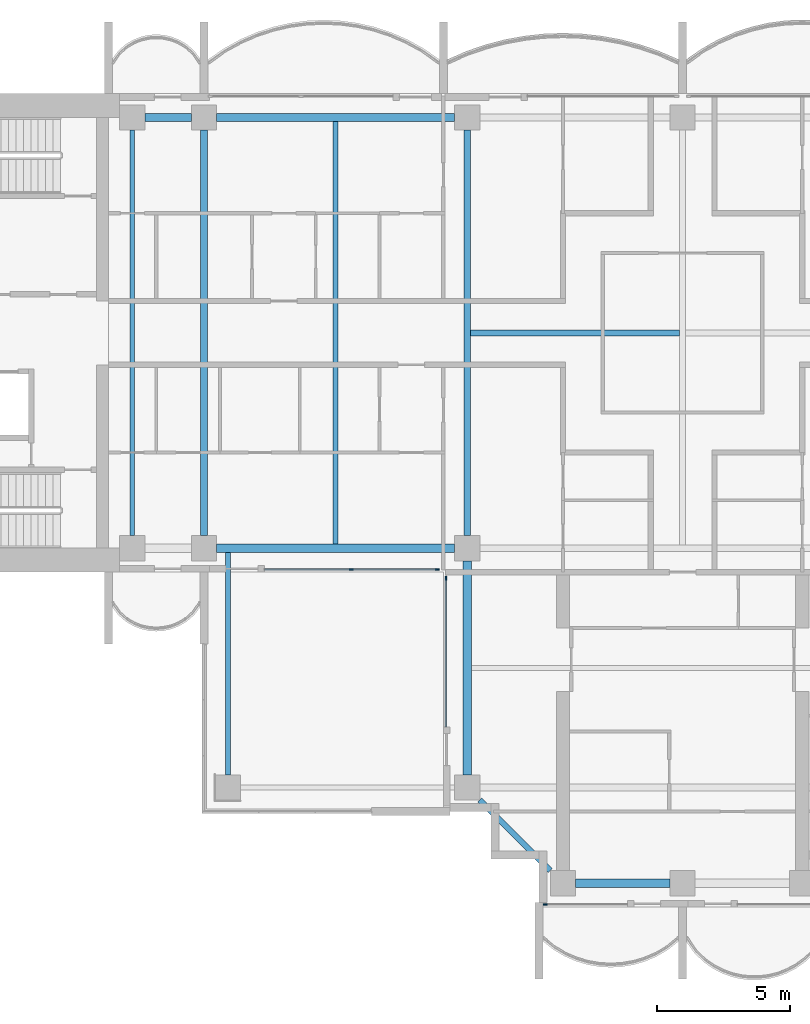
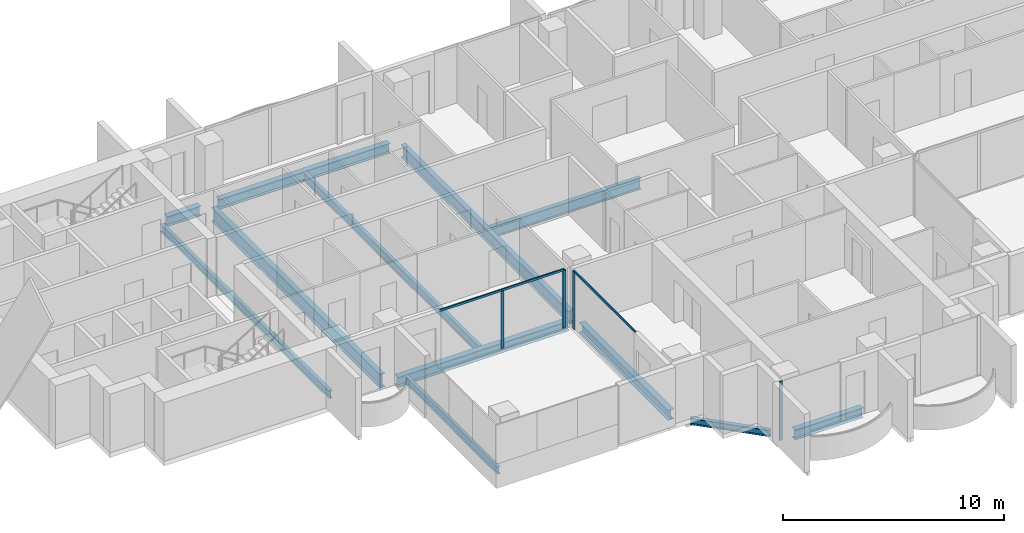
# One storey, part 2 of 17: 12 beams, 6 members, 3 elements without a shape of their own.
"""IFC4 building model written with IfcOpenShell, lengths in metres."""

from ifc_helpers import new_model, si_unit, direction, frame, origin, origin_2d, place, context, subcontext, project, spatial, rectangle, i_section, extrude, material, material_profile, profile_set, type_object, element, aggregate, save


model = new_model("IFC4")

# Units and contexts
model_context = context("Model", 3, precision=1e-05, world=origin(), true_north=direction((0.0, 1.0)))
body_context = subcontext(model_context, "Body", "Model", "MODEL_VIEW")
ifc_project = project(units=[si_unit("LENGTHUNIT", "METRE"), si_unit("AREAUNIT", "SQUARE_METRE"), si_unit("VOLUMEUNIT", "CUBIC_METRE"), si_unit("PLANEANGLEUNIT", "RADIAN"), si_unit("MASSUNIT", "GRAM", prefix="KILO")], contexts=[model_context])

# Site, building, storey
site_placement = place(None, origin())
site = spatial("IfcSite", under=ifc_project, at=site_placement, CompositionType="ELEMENT")
building_placement = place(site_placement, origin())
building = spatial("IfcBuilding", under=site, at=building_placement, Name="Perihelion Cross Residences", CompositionType="ELEMENT")
storey_placement = place(building_placement, frame((0.0, 0.0, 191.10009765625)))
storey = spatial("IfcBuildingStorey", under=building, at=storey_placement, Name="L47", CompositionType="ELEMENT", Elevation=191.10009765625)

# Curtain wall, members
ifc_material_1 = material(Name="Bronze anodised aluminium, tinted glazing", Category="aluminium")
curtain_wall_type = type_object("IfcCurtainWallType", Name="CW1", PredefinedType="NOTDEFINED", material=ifc_material_1)
curtain_wall_1_placement = place(storey_placement, origin())
curtain_wall_1 = element("IfcCurtainWall", 1, at=curtain_wall_1_placement, inside=storey, type_object=curtain_wall_type, Name="Curtain wall CW1 L47 west side south bay 2", PredefinedType="NOTDEFINED")
ifc_material_2 = material(Name="Bronze anodised aluminium", Category="aluminium")
ifc_material_profile_1 = material_profile(ifc_material_2, rectangle(XDim=0.06005859375, YDim=0.159912109375, at=origin_2d()), Name="CW1 mullion")
ifc_profile_set_1 = profile_set([ifc_material_profile_1], Name="Bronze anodised aluminium")
member_type_1 = type_object("IfcMemberType", Name="CW1 mullion", PredefinedType="MULLION", material=ifc_profile_set_1)
member_1_placement = place(storey_placement, frame((-12.46240234375, -8.89990234375, 0.0), z_axis=(0.0, 0.0, 1.0), x_axis=(0.0, 1.0, 0.0)))
member_1 = element("IfcMember", 2, at=member_1_placement, type_object=member_type_1, Name="CW1 mullion 2", PredefinedType="MULLION", context=body_context, shape_type="SweptSolid", body=[
    extrude(rectangle(XDim=0.06005859375, YDim=0.159912109375, at=origin_2d()), origin(), (0.0, 0.0, 1.0), 3.18994140625),
])
member_2_placement = place(storey_placement, frame((-9.22998046875, -8.89990234375, 0.0), z_axis=(0.0, 0.0, 1.0), x_axis=(0.0, 1.0, 0.0)))
member_2 = element("IfcMember", 3, at=member_2_placement, type_object=member_type_1, Name="CW1 mullion 3", PredefinedType="MULLION", context=body_context, shape_type="SweptSolid", body=[
    extrude(rectangle(XDim=0.06005859375, YDim=0.159912109375, at=origin_2d()), origin(), (0.0, 0.0, 1.0), 3.18994140625),
])

# Curtain wall, member
curtain_wall_2_placement = place(storey_placement, origin())
curtain_wall_2 = element("IfcCurtainWall", 4, at=curtain_wall_2_placement, inside=storey, type_object=curtain_wall_type, Name="Curtain wall CW1 L47 south side west bay 1", PredefinedType="NOTDEFINED")
member_3_placement = place(storey_placement, frame((-8.89990234375, -9.22998046875, 0.0), z_axis=(0.0, 0.0, 1.0), x_axis=(1.0, 0.0, 0.0)))
member_3 = element("IfcMember", 5, at=member_3_placement, type_object=member_type_1, Name="CW1 mullion 1", PredefinedType="MULLION", context=body_context, shape_type="SweptSolid", body=[
    extrude(rectangle(XDim=0.06005859375, YDim=0.159912109375, at=origin_2d()), origin(), (0.0, 0.0, 1.0), 3.18994140625),
])

curtain_wall_3_placement = place(storey_placement, origin())
curtain_wall_3 = element("IfcCurtainWall", 6, at=curtain_wall_3_placement, inside=storey, type_object=curtain_wall_type, Name="Curtain wall CW1 L47 south tip south bay 1", PredefinedType="NOTDEFINED")
member_4_placement = place(storey_placement, frame((-5.169921875, -21.5, 0.0), z_axis=(0.0, 0.0, 1.0), x_axis=(0.0, 1.0, 0.0)))
member_4 = element("IfcMember", 7, at=member_4_placement, type_object=member_type_1, Name="CW1 mullion 1", PredefinedType="MULLION", context=body_context, shape_type="SweptSolid", body=[
    extrude(rectangle(XDim=0.06005859375, YDim=0.159912109375, at=origin_2d()), origin(), (0.0, 0.0, 1.0), 3.25),
])
aggregate(curtain_wall_3, [member_4])

# Member
ifc_material_3 = material(Name="Bronze anodised aluminium", Category="aluminium")
ifc_material_profile_2 = material_profile(ifc_material_3, rectangle(XDim=0.06005859375, YDim=0.1201171875, at=origin_2d()), Name="CW1 transom")
ifc_profile_set_2 = profile_set([ifc_material_profile_2], Name="Bronze anodised aluminium")
member_type_2 = type_object("IfcMemberType", Name="CW1 transom", PredefinedType="USERDEFINED", material=ifc_profile_set_2)
member_5_placement = place(storey_placement, frame((-15.72509765625, -8.89990234375, 3.219970703125), z_axis=(1.0, 0.0, 0.0), x_axis=(0.0, 1.0, 0.0)))
member_5 = element("IfcMember", 8, at=member_5_placement, type_object=member_type_2, Name="CW1 head transom", ObjectType="TRANSOM", PredefinedType="USERDEFINED", context=body_context, shape_type="SweptSolid", body=[
    extrude(rectangle(XDim=0.06005859375, YDim=0.1201171875, at=origin_2d()), origin(), (0.0, 0.0, 1.0), 6.4951171875),
])

aggregate(curtain_wall_1, [member_1, member_2, member_5])

member_6_placement = place(storey_placement, frame((-8.89990234375, -9.22998046875, 3.219970703125), z_axis=(0.0, -1.0, 0.0), x_axis=(1.0, 0.0, 0.0)))
member_6 = element("IfcMember", 9, at=member_6_placement, type_object=member_type_2, Name="CW1 head transom", ObjectType="TRANSOM", PredefinedType="USERDEFINED", context=body_context, shape_type="SweptSolid", body=[
    extrude(rectangle(XDim=0.06005859375, YDim=0.1201171875, at=origin_2d()), origin(), (0.0, 0.0, 1.0), 5.594970703125),
])

aggregate(curtain_wall_2, [member_3, member_6])

# Beams
ifc_material_4 = material(Name="Steel S355", Category="steel")
ifc_material_profile_3 = material_profile(ifc_material_4, i_section(OverallWidth=0.177978515625, OverallDepth=0.406005859375, WebThickness=0.0078125, FlangeThickness=0.0126953125, at=origin_2d()), Name="W410x60")
ifc_profile_set_3 = profile_set([ifc_material_profile_3], Name="Steel S355")
beam_type_1 = type_object("IfcBeamType", Name="Core edge beam W410x60", PredefinedType="BEAM", material=ifc_profile_set_3)
beam_1_placement = place(storey_placement, frame((-17.10009765625, -8.256103515625, -0.453125), z_axis=(0.0, -1.0, 0.0), x_axis=(1.0, 0.0, 0.0)))
element("IfcBeam", 10, at=beam_1_placement, inside=storey, type_object=beam_type_1, Name="Core edge beam TB2 L47 corner no. 1", PredefinedType="BEAM", context=body_context, shape_type="SweptSolid", body=[
    extrude(i_section(OverallWidth=0.177978515625, OverallDepth=0.406005859375, WebThickness=0.0078125, FlangeThickness=0.0126953125, at=origin_2d()), origin(), (0.0, 0.0, 1.0), 8.368896484375),
])
ifc_material_5 = material(Name="Steel S355", Category="steel")
ifc_material_profile_4 = material_profile(ifc_material_5, i_section(OverallWidth=0.180908203125, OverallDepth=0.4169921875, WebThickness=0.010986328125, FlangeThickness=0.018310546875, at=origin_2d()), Name="W410x85")
ifc_profile_set_4 = profile_set([ifc_material_profile_4], Name="Steel S355")
beam_type_2 = type_object("IfcBeamType", Name="Core edge beam W410x85", PredefinedType="BEAM", material=ifc_profile_set_4)
beam_2_placement = place(storey_placement, frame((-20.699951171875, -7.625, -0.45849609375), z_axis=(0.0, 1.0, 0.0), x_axis=(-1.0, 0.0, 0.0)))
element("IfcBeam", 11, at=beam_2_placement, inside=storey, type_object=beam_type_2, Name="Core edge beam TB6 L47 no. 1", PredefinedType="BEAM", context=body_context, shape_type="SweptSolid", body=[
    extrude(i_section(OverallWidth=0.180908203125, OverallDepth=0.4169921875, WebThickness=0.010986328125, FlangeThickness=0.018310546875, at=origin_2d()), origin(), (0.0, 0.0, 1.0), 15.25),
])
ifc_material_6 = material(Name="Steel S355", Category="steel")
ifc_material_profile_5 = material_profile(ifc_material_6, i_section(OverallWidth=0.31201171875, OverallDepth=0.5439453125, WebThickness=0.0126953125, FlangeThickness=0.020263671875, at=origin_2d()), Name="W530x150")
ifc_profile_set_5 = profile_set([ifc_material_profile_5], Name="Steel S355")
beam_type_3 = type_object("IfcBeamType", Name="Edge beam W530x150", PredefinedType="SPANDREL", material=ifc_profile_set_5)
beam_3_placement = place(storey_placement, frame((-8.574951171875, 8.10009765625, -0.522216796875), z_axis=(-1.0, 0.0, 0.0), x_axis=(0.0, -1.0, 0.0)))
element("IfcBeam", 12, at=beam_3_placement, inside=storey, type_object=beam_type_3, Name="Edge beam SB4 L47 no. 6", PredefinedType="SPANDREL", context=body_context, shape_type="SweptSolid", body=[
    extrude(i_section(OverallWidth=0.31201171875, OverallDepth=0.5439453125, WebThickness=0.0126953125, FlangeThickness=0.020263671875, at=origin_2d()), origin(), (0.0, 0.0, 1.0), 8.949951171875),
])
beam_4_placement = place(storey_placement, frame((-18.47509765625, 8.10009765625, -0.522216796875), z_axis=(-1.0, 0.0, 0.0), x_axis=(0.0, -1.0, 0.0)))
element("IfcBeam", 13, at=beam_4_placement, inside=storey, type_object=beam_type_3, Name="Edge beam SB4 L47 no. 2", PredefinedType="SPANDREL", context=body_context, shape_type="SweptSolid", body=[
    extrude(i_section(OverallWidth=0.31201171875, OverallDepth=0.5439453125, WebThickness=0.0126953125, FlangeThickness=0.020263671875, at=origin_2d()), origin(), (0.0, 0.0, 1.0), 1.75),
])
beam_5_placement = place(storey_placement, frame((-17.52490234375, -8.10009765625, -0.522216796875), z_axis=(1.0, 0.0, 0.0), x_axis=(0.0, 1.0, 0.0)))
element("IfcBeam", 14, at=beam_5_placement, inside=storey, type_object=beam_type_3, Name="Edge beam SB4 L47 no. 1", PredefinedType="SPANDREL", context=body_context, shape_type="SweptSolid", body=[
    extrude(i_section(OverallWidth=0.31201171875, OverallDepth=0.5439453125, WebThickness=0.0126953125, FlangeThickness=0.020263671875, at=origin_2d()), origin(), (0.0, 0.0, 1.0), 8.949951171875),
])
beam_6_placement = place(storey_placement, frame((-8.10009765625, -8.574951171875, -0.522216796875), z_axis=(0.0, -1.0, 0.0), x_axis=(1.0, 0.0, 0.0)))
element("IfcBeam", 15, at=beam_6_placement, inside=storey, type_object=beam_type_3, Name="Edge beam SB4 L47 no. 5", PredefinedType="SPANDREL", context=body_context, shape_type="SweptSolid", body=[
    extrude(i_section(OverallWidth=0.31201171875, OverallDepth=0.5439453125, WebThickness=0.0126953125, FlangeThickness=0.020263671875, at=origin_2d()), origin(), (0.0, 0.0, 1.0), 8.050048828125),
])
beam_7_placement = place(storey_placement, frame((-4.02490234375, -20.699951171875, -0.522216796875), z_axis=(1.0, 0.0, 0.0), x_axis=(0.0, 1.0, 0.0)))
element("IfcBeam", 16, at=beam_7_placement, inside=storey, type_object=beam_type_3, Name="Edge beam SB4 L47 no. 4", PredefinedType="SPANDREL", context=body_context, shape_type="SweptSolid", body=[
    extrude(i_section(OverallWidth=0.31201171875, OverallDepth=0.5439453125, WebThickness=0.0126953125, FlangeThickness=0.020263671875, at=origin_2d()), origin(), (0.0, 0.0, 1.0), 3.5498046875),
])
ifc_material_7 = material(Name="Steel S355", Category="steel")
ifc_material_profile_6 = material_profile(ifc_material_7, i_section(OverallWidth=0.26708984375, OverallDepth=0.77001953125, WebThickness=0.015625, FlangeThickness=0.025390625, at=origin_2d()), Name="W760x196")
ifc_profile_set_6 = profile_set([ifc_material_profile_6], Name="Steel S355")
beam_type_4 = type_object("IfcBeamType", Name="Floor girder W760x196", PredefinedType="BEAM", material=ifc_profile_set_6)
beam_8_placement = place(storey_placement, frame((-18.0, -7.625, -0.635009765625), z_axis=(0.0, 1.0, 0.0), x_axis=(-1.0, 0.0, 0.0)))
element("IfcBeam", 17, at=beam_8_placement, inside=storey, type_object=beam_type_4, Name="Girder G4 L47 no. 1", PredefinedType="BEAM", context=body_context, shape_type="SweptSolid", body=[
    extrude(i_section(OverallWidth=0.26708984375, OverallDepth=0.77001953125, WebThickness=0.015625, FlangeThickness=0.025390625, at=origin_2d()), origin(), (0.0, 0.0, 1.0), 15.25),
])
ifc_material_8 = material(Name="Steel S355", Category="steel")
ifc_material_profile_7 = material_profile(ifc_material_8, i_section(OverallWidth=0.19091796875, OverallDepth=0.45703125, WebThickness=0.009033203125, FlangeThickness=0.014404296875, at=origin_2d()), Name="W460x74")
ifc_profile_set_7 = profile_set([ifc_material_profile_7], Name="Steel S355")
beam_type_5 = type_object("IfcBeamType", Name="Floor joist W460x74", PredefinedType="JOIST", material=ifc_profile_set_7)
beam_9_placement = place(storey_placement, frame((-13.050048828125, -7.944091796875, -0.478515625), z_axis=(0.0, 1.0, 0.0), x_axis=(-1.0, 0.0, 0.0)))
element("IfcBeam", 18, at=beam_9_placement, inside=storey, type_object=beam_type_5, Name="Joist J5 L47 no. 1", PredefinedType="JOIST", context=body_context, shape_type="SweptSolid", body=[
    extrude(i_section(OverallWidth=0.19091796875, OverallDepth=0.45703125, WebThickness=0.009033203125, FlangeThickness=0.014404296875, at=origin_2d()), origin(), (0.0, 0.0, 1.0), 15.88818359375),
])
ifc_material_9 = material(Name="Steel S355", Category="steel")
ifc_material_profile_8 = material_profile(ifc_material_9, i_section(OverallWidth=0.22900390625, OverallDepth=0.612060546875, WebThickness=0.011962890625, FlangeThickness=0.01953125, at=origin_2d()), Name="W610x125")
ifc_profile_set_8 = profile_set([ifc_material_profile_8], Name="Steel S355")
beam_type_6 = type_object("IfcBeamType", Name="Hub cross beam W610x125", PredefinedType="BEAM", material=ifc_profile_set_8)
beam_10_placement = place(storey_placement, frame((-7.971435546875, 0.0, -0.55615234375), z_axis=(1.0, 0.0, 0.0), x_axis=(0.0, 1.0, 0.0)))
element("IfcBeam", 19, at=beam_10_placement, inside=storey, type_object=beam_type_6, Name="Hub cross beam XB4 L47 1 no. 1", PredefinedType="BEAM", context=body_context, shape_type="SweptSolid", body=[
    extrude(i_section(OverallWidth=0.22900390625, OverallDepth=0.612060546875, WebThickness=0.011962890625, FlangeThickness=0.01953125, at=origin_2d()), origin(), (0.0, 0.0, 1.0), 7.85693359375),
])
ifc_material_10 = material(Name="Steel S355", Category="steel")
ifc_material_profile_9 = material_profile(ifc_material_10, i_section(OverallWidth=0.257080078125, OverallDepth=0.693115234375, WebThickness=0.014404296875, FlangeThickness=0.023681640625, at=origin_2d()), Name="W690x170")
ifc_profile_set_9 = profile_set([ifc_material_profile_9], Name="Steel S355")
beam_type_7 = type_object("IfcBeamType", Name="Hub ring girder W690x170", PredefinedType="BEAM", material=ifc_profile_set_9)
beam_11_placement = place(storey_placement, frame((-8.10009765625, 7.625, -0.5966796875), z_axis=(0.0, -1.0, 0.0), x_axis=(1.0, 0.0, 0.0)))
element("IfcBeam", 20, at=beam_11_placement, inside=storey, type_object=beam_type_7, Name="Hub ring girder RG4 L47 no. 2", PredefinedType="BEAM", context=body_context, shape_type="SweptSolid", body=[
    extrude(i_section(OverallWidth=0.257080078125, OverallDepth=0.693115234375, WebThickness=0.014404296875, FlangeThickness=0.023681640625, at=origin_2d()), origin(), (0.0, 0.0, 1.0), 15.25),
])
ifc_material_11 = material(Name="Steel S355", Category="steel")
ifc_material_profile_10 = material_profile(ifc_material_11, i_section(OverallWidth=0.205078125, OverallDepth=0.35302734375, WebThickness=0.009521484375, FlangeThickness=0.016845703125, at=origin_2d()), Name="W360x79")
ifc_profile_set_10 = profile_set([ifc_material_profile_10], Name="Steel S355")
beam_type_8 = type_object("IfcBeamType", Name="Serration edge beam W360x79", PredefinedType="BEAM", material=ifc_profile_set_10)
beam_12_placement = place(storey_placement, frame((-7.625, -17.574951171875, -0.426513671875), z_axis=(0.70707420838, -0.707139352493, 0.0), x_axis=(0.707139352493, 0.70707420838, 0.0)))
element("IfcBeam", 21, at=beam_12_placement, inside=storey, type_object=beam_type_8, Name="Serration edge beam EB4 L47 no. 1", PredefinedType="BEAM", context=body_context, shape_type="SweptSolid", body=[
    extrude(i_section(OverallWidth=0.205078125, OverallDepth=0.35302734375, WebThickness=0.009521484375, FlangeThickness=0.016845703125, at=origin_2d()), origin(), (0.0, 0.0, 1.0), 3.747802734375),
])

save(model, "model.ifc")
